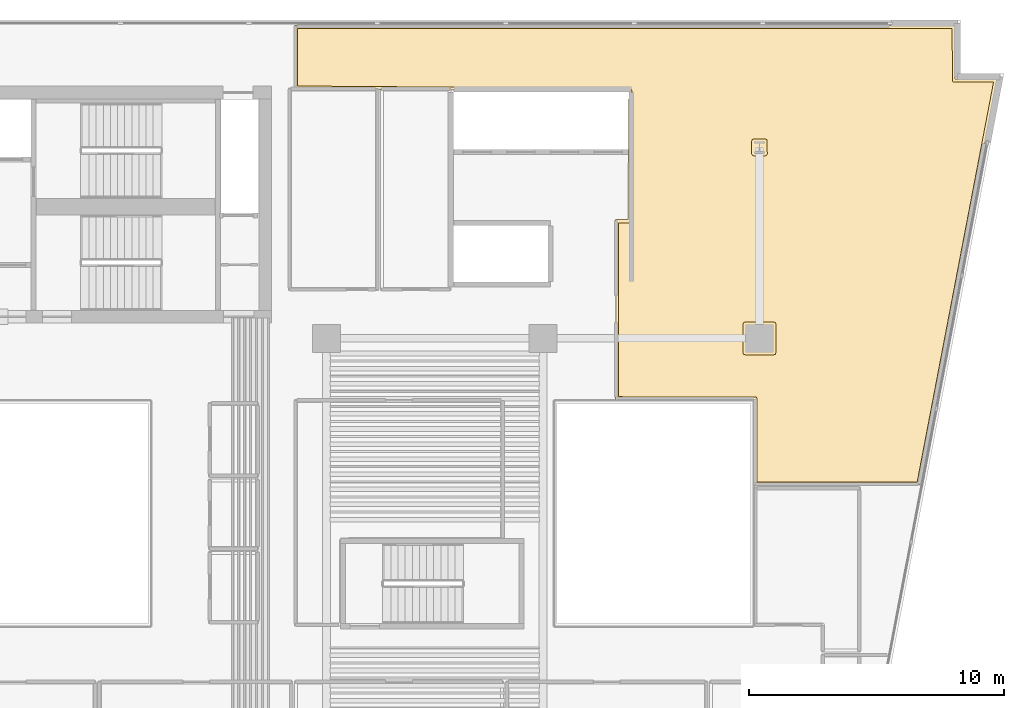
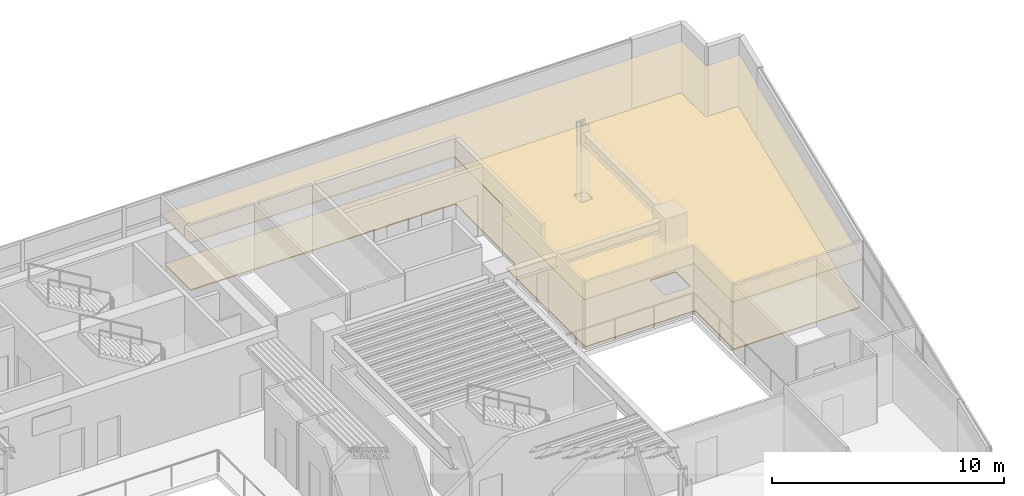
# One storey, part 14 of 14: 2 coverings.
"""IFC4 building model written with IfcOpenShell, lengths in metres."""

from ifc_helpers import new_model, si_unit, direction, frame, origin, place, context, subcontext, project, spatial, polyline, outline, extrude, material, layer, layer_set, type_object, element, save


model = new_model("IFC4")

# Units and contexts
model_context = context("Model", 3, precision=1e-05, world=origin(), true_north=direction((0.0, 1.0)))
body_context = subcontext(model_context, "Body", "Model", "MODEL_VIEW")
ifc_project = project(units=[si_unit("LENGTHUNIT", "METRE"), si_unit("AREAUNIT", "SQUARE_METRE"), si_unit("VOLUMEUNIT", "CUBIC_METRE"), si_unit("PLANEANGLEUNIT", "RADIAN"), si_unit("MASSUNIT", "GRAM", prefix="KILO")], contexts=[model_context])

# Site, building, storey
site_placement = place(None, origin())
site = spatial("IfcSite", under=ifc_project, at=site_placement, CompositionType="ELEMENT")
building_placement = place(site_placement, origin())
building = spatial("IfcBuilding", under=site, at=building_placement, Name="Caeloran Harvest Quay", CompositionType="ELEMENT")
storey_placement = place(building_placement, frame((0.0, 0.0, 174.60009765625)))
storey = spatial("IfcBuildingStorey", under=building, at=storey_placement, Name="L41", CompositionType="ELEMENT", Elevation=174.60009765625)

# Coverings
ifc_material_1 = material(Name="Perforated Mineral-Fibre Acoustic Ceiling Tile", Category="ceiling")
ifc_layer_1 = layer(ifc_material_1, 0.0400390625, Name="Perforated Mineral-Fibre Acoustic Ceiling Tile")
ifc_layer_set_1 = layer_set([ifc_layer_1], Name="Perforated Mineral-Fibre Acoustic Ceiling Tile")
covering_type_1 = type_object("IfcCoveringType", Name="COV-CEILING-ACOUSTIC", PredefinedType="CEILING", material=ifc_layer_set_1)
covering_1_placement = place(storey_placement, frame((0.0, 0.0, 2.599853515625)))
element("IfcCovering", 1, at=covering_1_placement, inside=storey, type_object=covering_type_1, Name="Investor Dining Salon Lounge 11 Acoustic Ceiling", PredefinedType="CEILING", context=body_context, shape_type="SweptSolid", body=[
    extrude(outline(polyline([(48.788818359375, 25.239990234375), (42.2900390625, 25.239990234375), (42.2900390625, 28.590087890625), (36.840087890625, 28.590087890625), (36.840087890625, 35.659912109375), (37.330322265625, 35.659912109375), (37.36962890625, 40.690185546875), (24.239990234375, 40.790283203125), (24.239990234375, 43.280029296875), (50.179931640625, 43.280029296875), (50.179931640625, 41.179931640625), (51.8330078125, 41.179931640625), (48.788818359375, 25.239990234375)])), origin(), (0.0, 0.0, 1.0), 0.0400390625),
])
ifc_material_2 = material(Name="Calcium-Sulphate Raised Access Floor and Terrazzo Finish", Category="flooring")
ifc_layer_2 = layer(ifc_material_2, 0.050048828125, Name="Calcium-Sulphate Raised Access Floor and Terrazzo Finish")
ifc_layer_set_2 = layer_set([ifc_layer_2], Name="Calcium-Sulphate Raised Access Floor and Terrazzo Finish")
covering_type_2 = type_object("IfcCoveringType", Name="COV-FLOOR-RAISED", PredefinedType="FLOORING", material=ifc_layer_set_2)
covering_2_placement = place(storey_placement, origin())
element("IfcCovering", 2, at=covering_2_placement, inside=storey, type_object=covering_type_2, Name="Investor Dining Salon Lounge 11 Raised Finish Flooring", PredefinedType="FLOORING", context=body_context, shape_type="SweptSolid", body=[
    extrude(outline(polyline([(50.06005859375, 43.159912109375), (50.078125, 41.089111328125), (50.132080078125, 41.060302734375), (51.68798828125, 41.06005859375), (48.689697265625, 25.360107421875), (42.409912109375, 25.360107421875), (42.409912109375, 28.6298828125), (42.37451171875, 28.696533203125), (36.9599609375, 28.7099609375), (36.9599609375, 35.5400390625), (37.377685546875, 35.540283203125), (37.44970703125, 35.611572265625), (37.489990234375, 40.7294921875), (37.467041015625, 40.7861328125), (37.41064453125, 40.81005859375), (24.360107421875, 40.909423828125), (24.360107421875, 43.159912109375), (50.06005859375, 43.159912109375)]), holes=[polyline([(43.14501953125, 31.56494140625), (43.12158203125, 31.62158203125), (43.06494140625, 31.64501953125), (41.93505859375, 31.64501953125), (41.87841796875, 31.62158203125), (41.85498046875, 31.56494140625), (41.85498046875, 30.43505859375), (41.87841796875, 30.37841796875), (41.93505859375, 30.35498046875), (43.06494140625, 30.35498046875), (43.12158203125, 30.37841796875), (43.14501953125, 30.43505859375), (43.14501953125, 31.56494140625)]), polyline([(42.806884765625, 38.248046875), (42.788818359375, 38.802734375), (42.73486328125, 38.83154296875), (42.27294921875, 38.83203125), (42.21630859375, 38.80859375), (42.193115234375, 38.751953125), (42.193115234375, 38.248046875), (42.21630859375, 38.19140625), (42.27294921875, 38.16796875), (42.72705078125, 38.16796875), (42.78369140625, 38.19140625), (42.806884765625, 38.248046875)])]), origin(), (0.0, 0.0, 1.0), 0.0498046875),
])

save(model, "model.ifc")
